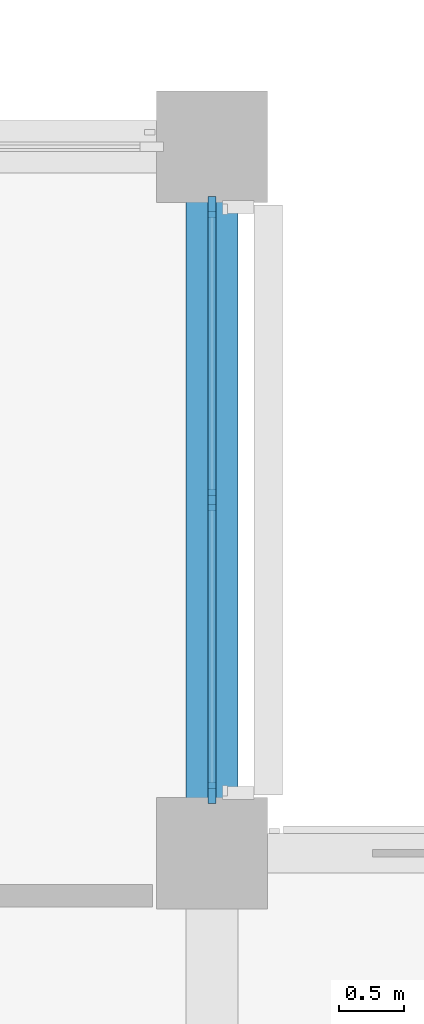
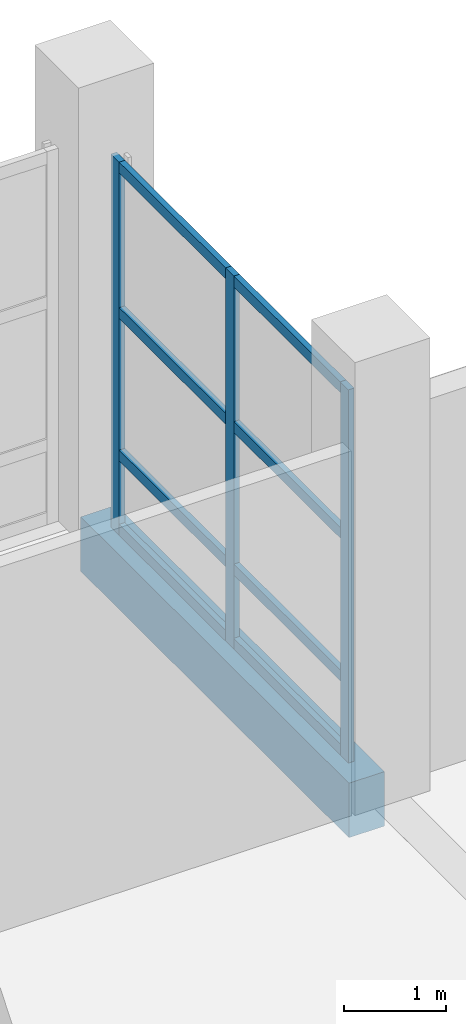
# One storey, part 44 of 140: 11 members, 1 beam, 1 element without a shape of its own.
"""IFC4 building model written with IfcOpenShell, lengths in metres."""

from ifc_helpers import new_model, si_unit, direction, frame, origin, origin_2d, place, context, subcontext, project, spatial, rectangle, extrude, material, layer, layer_set, material_profile, profile_set, type_object, element, aggregate, save


model = new_model("IFC4")

# Units and contexts
model_context = context("Model", 3, precision=1e-05, world=origin(), true_north=direction((0.0, 1.0)))
body_context = subcontext(model_context, "Body", "Model", "MODEL_VIEW")
ifc_project = project(units=[si_unit("LENGTHUNIT", "METRE"), si_unit("AREAUNIT", "SQUARE_METRE"), si_unit("VOLUMEUNIT", "CUBIC_METRE"), si_unit("PLANEANGLEUNIT", "RADIAN"), si_unit("MASSUNIT", "GRAM", prefix="KILO")], contexts=[model_context])

# Site, building, storey
site_placement = place(None, origin())
site = spatial("IfcSite", under=ifc_project, at=site_placement, CompositionType="ELEMENT")
building_placement = place(site_placement, origin())
building = spatial("IfcBuilding", under=site, at=building_placement, Name="Telukmera Botanical Conservatory", CompositionType="ELEMENT")
storey_placement = place(building_placement, origin())
storey = spatial("IfcBuildingStorey", under=building, at=storey_placement, Name="L00", CompositionType="ELEMENT", Elevation=0.0)

# Beam
ifc_material_1 = material(Name="Concrete C40/50", Category="concrete")
ifc_material_profile_1 = material_profile(ifc_material_1, rectangle(XDim=0.39990234375, YDim=0.64990234375, at=origin_2d()), Name="RC 400x650")
ifc_profile_set_1 = profile_set([ifc_material_profile_1], Name="Concrete C40/50")
beam_type = type_object("IfcBeamType", Name="Beam_B8", PredefinedType="BEAM", material=ifc_profile_set_1)
beam_placement = place(storey_placement, frame((168.0, 42.8798828125, -0.324951171875), z_axis=(0.0, 1.0, 0.0), x_axis=(-1.0, 0.0, 0.0)))
element("IfcBeam", 1, at=beam_placement, inside=storey, type_object=beam_type, Name="Conservatory Beam beam:V1:L00:gy:1680:428", PredefinedType="BEAM", context=body_context, shape_type="SweptSolid", body=[
    extrude(rectangle(XDim=0.39990234375, YDim=0.64990234375, at=origin_2d()), origin(), (0.0, 0.0, 1.0), 5.240234375),
])

# Curtain wall, members
ifc_material_2 = material(Name="Anodised aluminium 6063-T6", Category="aluminium")
ifc_layer = layer(ifc_material_2, 0.179931640625)
ifc_layer_set = layer_set([ifc_layer], Name="Anodised aluminium 6063-T6")
curtain_wall_type = type_object("IfcCurtainWallType", Name="Conservatory North Gable Unitised Curtain Wall", PredefinedType="USERDEFINED", material=ifc_layer_set)
curtain_wall_placement = place(storey_placement, origin())
curtain_wall = element("IfcCurtainWall", 2, at=curtain_wall_placement, inside=storey, type_object=curtain_wall_type, Name="Unitised Curtain Wall CW03 V1:L00:E4", ObjectType="UNITISED CURTAIN WALL", PredefinedType="USERDEFINED")
ifc_material_profile_2 = material_profile(ifc_material_2, rectangle(XDim=0.06494140625, YDim=0.159912109375, at=origin_2d()), Name="ALU MULL 65x160")
ifc_profile_set_2 = profile_set([ifc_material_profile_2], Name="Anodised aluminium 6063-T6")
member_type_1 = type_object("IfcMemberType", Name="Curtain Wall Extruded Mullion 65x160", PredefinedType="MULLION", material=ifc_profile_set_2)
member_1_placement = place(storey_placement, frame((168.0, 43.259521484375, 0.0), z_axis=(0.0, 0.0, 1.0), x_axis=(-1.0, 0.0, 0.0)))
member_1 = element("IfcMember", 3, at=member_1_placement, type_object=member_type_1, Name="CW03 mullion 1", PredefinedType="MULLION", context=body_context, shape_type="SweptSolid", body=[
    extrude(rectangle(XDim=0.06494140625, YDim=0.159912109375, at=origin_2d()), origin(), (0.0, 0.0, 1.0), 4.449951171875),
])
member_2_placement = place(storey_placement, frame((168.0, 45.5, 0.0), z_axis=(0.0, 0.0, 1.0), x_axis=(-1.0, 0.0, 0.0)))
member_2 = element("IfcMember", 4, at=member_2_placement, type_object=member_type_1, Name="CW03 mullion 2", PredefinedType="MULLION", context=body_context, shape_type="SweptSolid", body=[
    extrude(rectangle(XDim=0.06494140625, YDim=0.159912109375, at=origin_2d()), origin(), (0.0, 0.0, 1.0), 4.449951171875),
])
member_3_placement = place(storey_placement, frame((168.0, 47.740478515625, 0.0), z_axis=(0.0, 0.0, 1.0), x_axis=(-1.0, 0.0, 0.0)))
member_3 = element("IfcMember", 5, at=member_3_placement, type_object=member_type_1, Name="CW03 mullion 3", PredefinedType="MULLION", context=body_context, shape_type="SweptSolid", body=[
    extrude(rectangle(XDim=0.06494140625, YDim=0.159912109375, at=origin_2d()), origin(), (0.0, 0.0, 1.0), 4.449951171875),
])
ifc_material_profile_3 = material_profile(ifc_material_2, rectangle(XDim=0.06494140625, YDim=0.1298828125, at=origin_2d()), Name="ALU TRAN 65x130")
ifc_profile_set_3 = profile_set([ifc_material_profile_3], Name="Anodised aluminium 6063-T6")
member_type_2 = type_object("IfcMemberType", Name="Curtain Wall Extruded Transom 65x130", PredefinedType="USERDEFINED", material=ifc_profile_set_3)
member_4_placement = place(storey_placement, frame((168.0, 43.2919921875, 0.06494140625), z_axis=(0.0, 1.0, 0.0), x_axis=(-1.0, 0.0, 0.0)))
member_4 = element("IfcMember", 6, at=member_4_placement, type_object=member_type_2, Name="CW03 transom 1.1", ObjectType="TRANSOM", PredefinedType="USERDEFINED", context=body_context, shape_type="SweptSolid", body=[
    extrude(rectangle(XDim=0.06494140625, YDim=0.1298828125, at=origin_2d()), origin(), (0.0, 0.0, 1.0), 2.175537109375),
])
member_5_placement = place(storey_placement, frame((168.0, 43.2919921875, 0.949951171875), z_axis=(0.0, 1.0, 0.0), x_axis=(-1.0, 0.0, 0.0)))
member_5 = element("IfcMember", 7, at=member_5_placement, type_object=member_type_2, Name="CW03 transom 1.2", ObjectType="TRANSOM", PredefinedType="USERDEFINED", context=body_context, shape_type="SweptSolid", body=[
    extrude(rectangle(XDim=0.06494140625, YDim=0.1298828125, at=origin_2d()), origin(), (0.0, 0.0, 1.0), 2.175537109375),
])
member_6_placement = place(storey_placement, frame((168.0, 43.2919921875, 2.64990234375), z_axis=(0.0, 1.0, 0.0), x_axis=(-1.0, 0.0, 0.0)))
member_6 = element("IfcMember", 8, at=member_6_placement, type_object=member_type_2, Name="CW03 transom 1.3", ObjectType="TRANSOM", PredefinedType="USERDEFINED", context=body_context, shape_type="SweptSolid", body=[
    extrude(rectangle(XDim=0.06494140625, YDim=0.1298828125, at=origin_2d()), origin(), (0.0, 0.0, 1.0), 2.175537109375),
])
member_7_placement = place(storey_placement, frame((168.0, 43.2919921875, 4.385009765625), z_axis=(0.0, 1.0, 0.0), x_axis=(-1.0, 0.0, 0.0)))
member_7 = element("IfcMember", 9, at=member_7_placement, type_object=member_type_2, Name="CW03 transom 1.4", ObjectType="TRANSOM", PredefinedType="USERDEFINED", context=body_context, shape_type="SweptSolid", body=[
    extrude(rectangle(XDim=0.06494140625, YDim=0.1298828125, at=origin_2d()), origin(), (0.0, 0.0, 1.0), 2.175537109375),
])
member_8_placement = place(storey_placement, frame((168.0, 45.532470703125, 0.06494140625), z_axis=(0.0, 1.0, 0.0), x_axis=(-1.0, 0.0, 0.0)))
member_8 = element("IfcMember", 10, at=member_8_placement, type_object=member_type_2, Name="CW03 transom 2.1", ObjectType="TRANSOM", PredefinedType="USERDEFINED", context=body_context, shape_type="SweptSolid", body=[
    extrude(rectangle(XDim=0.06494140625, YDim=0.1298828125, at=origin_2d()), origin(), (0.0, 0.0, 1.0), 2.175537109375),
])
member_9_placement = place(storey_placement, frame((168.0, 45.532470703125, 0.949951171875), z_axis=(0.0, 1.0, 0.0), x_axis=(-1.0, 0.0, 0.0)))
member_9 = element("IfcMember", 11, at=member_9_placement, type_object=member_type_2, Name="CW03 transom 2.2", ObjectType="TRANSOM", PredefinedType="USERDEFINED", context=body_context, shape_type="SweptSolid", body=[
    extrude(rectangle(XDim=0.06494140625, YDim=0.1298828125, at=origin_2d()), origin(), (0.0, 0.0, 1.0), 2.175537109375),
])
member_10_placement = place(storey_placement, frame((168.0, 45.532470703125, 2.64990234375), z_axis=(0.0, 1.0, 0.0), x_axis=(-1.0, 0.0, 0.0)))
member_10 = element("IfcMember", 12, at=member_10_placement, type_object=member_type_2, Name="CW03 transom 2.3", ObjectType="TRANSOM", PredefinedType="USERDEFINED", context=body_context, shape_type="SweptSolid", body=[
    extrude(rectangle(XDim=0.06494140625, YDim=0.1298828125, at=origin_2d()), origin(), (0.0, 0.0, 1.0), 2.175537109375),
])
member_11_placement = place(storey_placement, frame((168.0, 45.532470703125, 4.385009765625), z_axis=(0.0, 1.0, 0.0), x_axis=(-1.0, 0.0, 0.0)))
member_11 = element("IfcMember", 13, at=member_11_placement, type_object=member_type_2, Name="CW03 transom 2.4", ObjectType="TRANSOM", PredefinedType="USERDEFINED", context=body_context, shape_type="SweptSolid", body=[
    extrude(rectangle(XDim=0.06494140625, YDim=0.1298828125, at=origin_2d()), origin(), (0.0, 0.0, 1.0), 2.175537109375),
])
aggregate(curtain_wall, [member_1, member_2, member_3, member_4, member_5, member_6, member_7, member_8, member_9, member_10, member_11])

save(model, "model.ifc")
